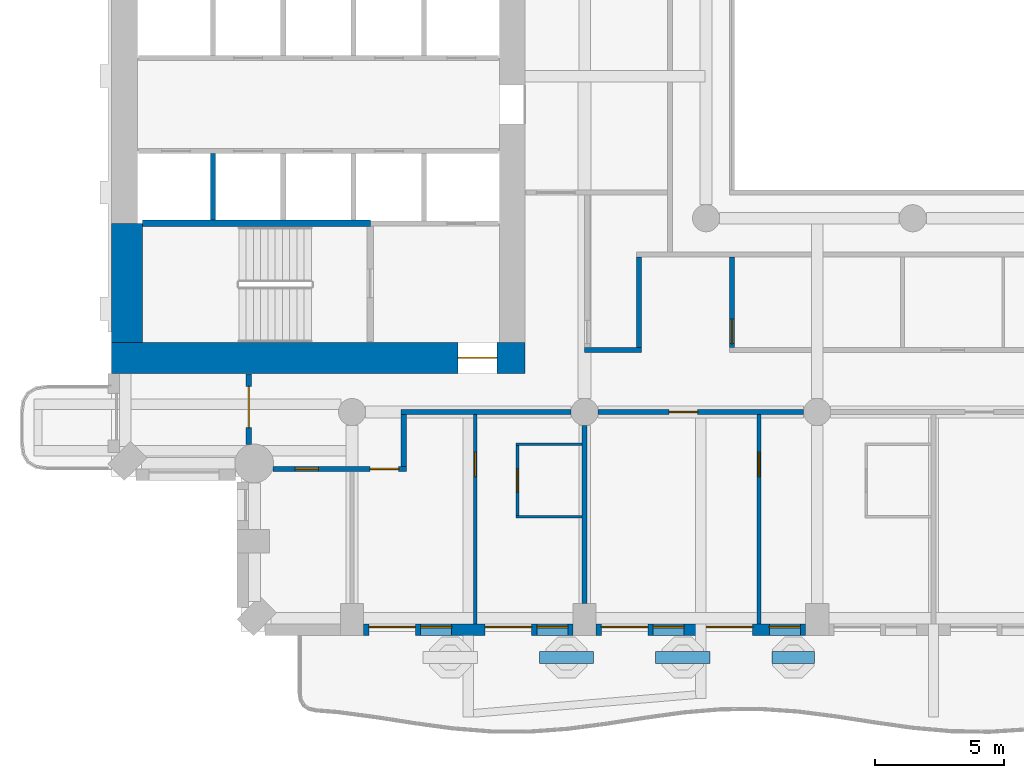
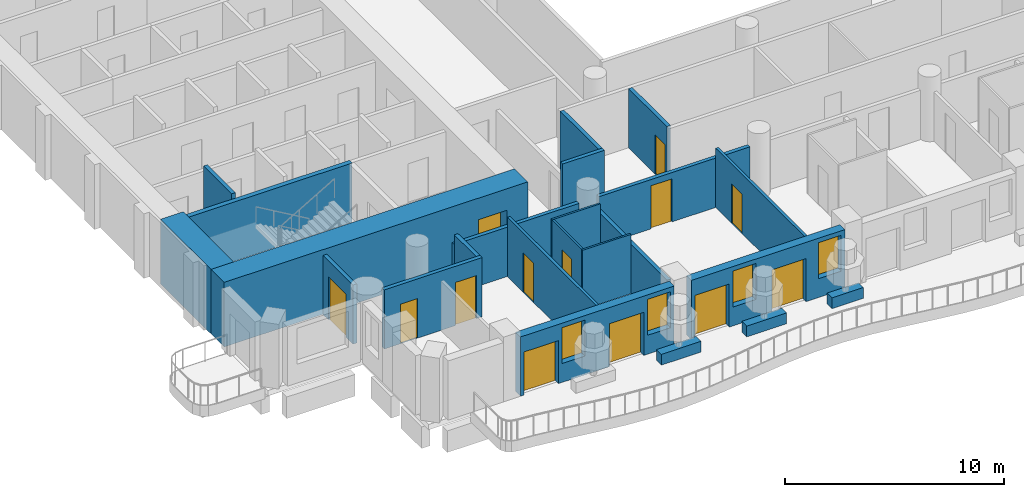
# One storey, part 3 of 20: 23 walls, 13 doors, 4 windows, 17 openings.
"""IFC4 building model written with IfcOpenShell, lengths in metres."""

from ifc_helpers import new_model, si_unit, direction, frame, frame_2d, origin, place, context, subcontext, project, spatial, rectangle, extrude, material, layer, layer_set, type_object, element, fill, save


model = new_model("IFC4")

# Units and contexts
model_context = context("Model", 3, precision=1e-05, world=origin(), true_north=direction((0.0, 1.0)))
body_context = subcontext(model_context, "Body", "Model", "MODEL_VIEW")
ifc_project = project(units=[si_unit("LENGTHUNIT", "METRE"), si_unit("AREAUNIT", "SQUARE_METRE"), si_unit("VOLUMEUNIT", "CUBIC_METRE"), si_unit("PLANEANGLEUNIT", "RADIAN"), si_unit("MASSUNIT", "GRAM", prefix="KILO")], contexts=[model_context])

# Site, building, storey
site_placement = place(None, origin())
site = spatial("IfcSite", under=ifc_project, at=site_placement, CompositionType="ELEMENT")
building_placement = place(site_placement, origin())
building = spatial("IfcBuilding", under=site, at=building_placement, Name="Cypress Arch Tower", CompositionType="ELEMENT")
storey_placement = place(building_placement, frame((0.0, 0.0, 131.10009765625)))
storey = spatial("IfcBuildingStorey", under=building, at=storey_placement, Name="L28", CompositionType="ELEMENT", Elevation=131.10009765625)

# Walls
ifc_material_1 = material(Name="Concrete C40/50, waterproofed", Category="concrete")
ifc_layer_1 = layer(ifc_material_1, 0.449951171875)
ifc_layer_set_1 = layer_set([ifc_layer_1], Name="Balcony planter wall PW450")
wall_type_1 = type_object("IfcWallType", Name="Balcony planter wall PW450", PredefinedType="SOLIDWALL", material=ifc_layer_set_1)
for number, where, z_axis, x_axis, name in (
    (1, (-13.449951171875, -27.0, 0.0), (0.0, 0.0, 1.0), (1.0, 0.0, 0.0), "Balcony planter wall L28-A03.2"),
    (2, (-8.949951171875, -27.0, 0.0), (0.0, 0.0, 1.0), (1.0, 0.0, 0.0), "Balcony planter wall L28-A03.3"),
):
    element("IfcWall", number, at=place(storey_placement, frame(where, z_axis=z_axis, x_axis=x_axis)), inside=storey, type_object=wall_type_1, Name=name, PredefinedType="SOLIDWALL", context=body_context, shape_type="SweptSolid", body=[
        extrude(rectangle(XDim=2.099853515625, YDim=0.449951171875, at=frame_2d((1.0498046875, 0.0))), origin(), (0.0, 0.0, 1.0), 0.599853515625),
    ])
wall_1_placement = place(storey_placement, frame((-4.449951171875, -27.0, 0.0), z_axis=(0.0, 0.0, 1.0), x_axis=(1.0, 0.0, 0.0)))
element("IfcWall", 3, at=wall_1_placement, inside=storey, type_object=wall_type_1, Name="Balcony planter wall L28-A03.4", PredefinedType="SOLIDWALL", context=body_context, shape_type="SweptSolid", body=[
    extrude(rectangle(XDim=1.64990234375, YDim=0.449951171875, at=frame_2d((0.824951171875, 0.0))), origin(), (0.0, 0.0, 1.0), 0.599853515625),
])

# Wall, openings, doors, windows
ifc_material_2 = material(Name="Brick (red buff blend)", Category="masonry")
ifc_layer_2 = layer(ifc_material_2, 0.449951171875)
ifc_layer_set_2 = layer_set([ifc_layer_2], Name="Brick pier and spandrel wall BW450")
wall_type_2 = type_object("IfcWallType", Name="Brick pier and spandrel wall BW450", PredefinedType="SOLIDWALL", material=ifc_layer_set_2)
wall_2_placement = place(storey_placement, frame((-20.25, -25.925048828125, 0.0), z_axis=(0.0, 0.0, 1.0), x_axis=(1.0, 0.0, 0.0)))
wall_2 = element("IfcWall", 4, at=wall_2_placement, inside=storey, type_object=wall_type_2, Name="Brick wall L28 A03.1", PredefinedType="SOLIDWALL", context=body_context, shape_type="SweptSolid", body=[
    extrude(rectangle(XDim=8.10009765625, YDim=0.449951171875, at=frame_2d((4.050048828125, 0.0))), origin(), (0.0, 0.0, 1.0), 3.2998046875),
])
opening_1_placement = place(wall_2_placement, frame((0.199951171875, 0.0, 0.0)))
opening_1 = element("IfcOpeningElement", 5, at=opening_1_placement, cuts=wall_2, Name="Opening D-L28-A03.1.1", PredefinedType="OPENING", context=body_context, shape_type="SweptSolid", body=[
    extrude(rectangle(XDim=1.800048828125, YDim=2.39990234375, at=frame_2d((0.89990234375, 1.199951171875))), frame((0.0, 0.23486328125, 0.0), z_axis=(0.0, -1.0, 0.0), x_axis=(1.0, 0.0, 0.0)), (0.0, 0.0, 1.0), 0.469970703125),
])
opening_2_placement = place(wall_2_placement, frame((2.199951171875, 0.0, 1.050048828125)))
opening_2 = element("IfcOpeningElement", 6, at=opening_2_placement, cuts=wall_2, Name="Opening W120HD", PredefinedType="OPENING", context=body_context, shape_type="SweptSolid", body=[
    extrude(rectangle(XDim=1.199951171875, YDim=2.0, at=frame_2d((0.60009765625, 1.0))), frame((0.0, 0.23486328125, 0.0), z_axis=(0.0, -1.0, 0.0), x_axis=(1.0, 0.0, 0.0)), (0.0, 0.0, 1.0), 0.469970703125),
])
opening_3_placement = place(wall_2_placement, frame((4.699951171875, 0.0, 0.0)))
opening_3 = element("IfcOpeningElement", 7, at=opening_3_placement, cuts=wall_2, Name="Opening D-L28-A03.1.2", PredefinedType="OPENING", context=body_context, shape_type="SweptSolid", body=[
    extrude(rectangle(XDim=1.800048828125, YDim=2.39990234375, at=frame_2d((0.89990234375, 1.199951171875))), frame((0.0, 0.23486328125, 0.0), z_axis=(0.0, -1.0, 0.0), x_axis=(1.0, 0.0, 0.0)), (0.0, 0.0, 1.0), 0.469970703125),
])
opening_4_placement = place(wall_2_placement, frame((6.699951171875, 0.0, 1.050048828125)))
opening_4 = element("IfcOpeningElement", 8, at=opening_4_placement, cuts=wall_2, Name="Opening W120HD", PredefinedType="OPENING", context=body_context, shape_type="SweptSolid", body=[
    extrude(rectangle(XDim=1.199951171875, YDim=2.0, at=frame_2d((0.60009765625, 1.0))), frame((0.0, 0.23486328125, 0.0), z_axis=(0.0, -1.0, 0.0), x_axis=(1.0, 0.0, 0.0)), (0.0, 0.0, 1.0), 0.469970703125),
])
ifc_material_3 = material(Name="Anodised aluminium, bronze finish, laminated low-emissivity double glazing, large-missile impact rated", Category="aluminium")
door_type_1 = type_object("IfcDoorType", Name="Balcony sliding door 1800x2400", OperationType="SLIDING_TO_LEFT", PredefinedType="DOOR", material=ifc_material_3)
door_1_placement = place(opening_1_placement, origin())
door_1 = element("IfcDoor", 9, at=door_1_placement, inside=storey, type_object=door_type_1, Name="Balcony door L28 A03.1.1", OperationType="SLIDING_TO_LEFT", OverallHeight=2.39990234375, OverallWidth=1.800048828125, PredefinedType="DOOR", context=body_context, shape_type="SweptSolid", body=[
    extrude(rectangle(XDim=1.800048828125, YDim=2.39990234375, at=frame_2d((0.89990234375, 1.199951171875))), frame((0.0, 0.1298828125, 0.0), z_axis=(0.0, -1.0, 0.0), x_axis=(1.0, 0.0, 0.0)), (0.0, 0.0, 1.0), 0.050048828125),
])
fill(opening_1, door_1)
door_2_placement = place(opening_3_placement, origin())
door_2 = element("IfcDoor", 10, at=door_2_placement, inside=storey, type_object=door_type_1, Name="Balcony door L28 A03.1.2", OperationType="SLIDING_TO_LEFT", OverallHeight=2.39990234375, OverallWidth=1.800048828125, PredefinedType="DOOR", context=body_context, shape_type="SweptSolid", body=[
    extrude(rectangle(XDim=1.800048828125, YDim=2.39990234375, at=frame_2d((0.89990234375, 1.199951171875))), frame((0.0, 0.1298828125, 0.0), z_axis=(0.0, -1.0, 0.0), x_axis=(1.0, 0.0, 0.0)), (0.0, 0.0, 1.0), 0.050048828125),
])
fill(opening_3, door_2)
ifc_material_4 = material(Name="Anodised aluminium, bronze finish, laminated low-emissivity double glazing, large-missile impact rated", Category="aluminium")
window_type = type_object("IfcWindowType", Name="Window Hotel 1200x2000 debris-rated", PartitioningType="SINGLE_PANEL", PredefinedType="WINDOW", material=ifc_material_4)
window_1_placement = place(opening_2_placement, origin())
window_1 = element("IfcWindow", 11, at=window_1_placement, inside=storey, type_object=window_type, Name="Window L28 A03.1.1", OverallHeight=2.0, OverallWidth=1.199951171875, PartitioningType="SINGLE_PANEL", PredefinedType="WINDOW", context=body_context, shape_type="SweptSolid", body=[
    extrude(rectangle(XDim=1.199951171875, YDim=2.0, at=frame_2d((0.60009765625, 1.0))), frame((0.0, 0.135009765625, 0.0), z_axis=(0.0, -1.0, 0.0), x_axis=(1.0, 0.0, 0.0)), (0.0, 0.0, 1.0), 0.06005859375),
])
fill(opening_2, window_1)
window_2_placement = place(opening_4_placement, origin())
window_2 = element("IfcWindow", 12, at=window_2_placement, inside=storey, type_object=window_type, Name="Window L28 A03.1.2", OverallHeight=2.0, OverallWidth=1.199951171875, PartitioningType="SINGLE_PANEL", PredefinedType="WINDOW", context=body_context, shape_type="SweptSolid", body=[
    extrude(rectangle(XDim=1.199951171875, YDim=2.0, at=frame_2d((0.60009765625, 1.0))), frame((0.0, 0.135009765625, 0.0), z_axis=(0.0, -1.0, 0.0), x_axis=(1.0, 0.0, 0.0)), (0.0, 0.0, 1.0), 0.06005859375),
])
fill(opening_4, window_2)

wall_3_placement = place(storey_placement, frame((-11.25, -25.925048828125, 0.0), z_axis=(0.0, 0.0, 1.0), x_axis=(1.0, 0.0, 0.0)))
wall_3 = element("IfcWall", 13, at=wall_3_placement, inside=storey, type_object=wall_type_2, Name="Brick wall L28 A03.2", PredefinedType="SOLIDWALL", context=body_context, shape_type="SweptSolid", body=[
    extrude(rectangle(XDim=8.10009765625, YDim=0.449951171875, at=frame_2d((4.050048828125, 0.0))), origin(), (0.0, 0.0, 1.0), 3.2998046875),
])
opening_5_placement = place(wall_3_placement, frame((0.199951171875, 0.0, 0.0)))
opening_5 = element("IfcOpeningElement", 14, at=opening_5_placement, cuts=wall_3, Name="Opening D-L28-A03.2.1", PredefinedType="OPENING", context=body_context, shape_type="SweptSolid", body=[
    extrude(rectangle(XDim=1.800048828125, YDim=2.39990234375, at=frame_2d((0.89990234375, 1.199951171875))), frame((0.0, 0.23486328125, 0.0), z_axis=(0.0, -1.0, 0.0), x_axis=(1.0, 0.0, 0.0)), (0.0, 0.0, 1.0), 0.469970703125),
])
opening_6_placement = place(wall_3_placement, frame((2.199951171875, 0.0, 1.050048828125)))
opening_6 = element("IfcOpeningElement", 15, at=opening_6_placement, cuts=wall_3, Name="Opening W120HD", PredefinedType="OPENING", context=body_context, shape_type="SweptSolid", body=[
    extrude(rectangle(XDim=1.199951171875, YDim=2.0, at=frame_2d((0.60009765625, 1.0))), frame((0.0, 0.23486328125, 0.0), z_axis=(0.0, -1.0, 0.0), x_axis=(1.0, 0.0, 0.0)), (0.0, 0.0, 1.0), 0.469970703125),
])
opening_7_placement = place(wall_3_placement, frame((4.25, 0.0, 0.0)))
opening_7 = element("IfcOpeningElement", 16, at=opening_7_placement, cuts=wall_3, Name="Opening D-L28-A03.2.2", PredefinedType="OPENING", context=body_context, shape_type="SweptSolid", body=[
    extrude(rectangle(XDim=1.800048828125, YDim=2.39990234375, at=frame_2d((0.89990234375, 1.199951171875))), frame((0.0, 0.23486328125, 0.0), z_axis=(0.0, -1.0, 0.0), x_axis=(1.0, 0.0, 0.0)), (0.0, 0.0, 1.0), 0.469970703125),
])
opening_8_placement = place(wall_3_placement, frame((6.699951171875, 0.0, 1.050048828125)))
opening_8 = element("IfcOpeningElement", 17, at=opening_8_placement, cuts=wall_3, Name="Opening W120HD", PredefinedType="OPENING", context=body_context, shape_type="SweptSolid", body=[
    extrude(rectangle(XDim=1.199951171875, YDim=2.0, at=frame_2d((0.60009765625, 1.0))), frame((0.0, 0.23486328125, 0.0), z_axis=(0.0, -1.0, 0.0), x_axis=(1.0, 0.0, 0.0)), (0.0, 0.0, 1.0), 0.469970703125),
])
door_3_placement = place(opening_5_placement, origin())
door_3 = element("IfcDoor", 18, at=door_3_placement, inside=storey, type_object=door_type_1, Name="Balcony door L28 A03.2.1", OperationType="SLIDING_TO_LEFT", OverallHeight=2.39990234375, OverallWidth=1.800048828125, PredefinedType="DOOR", context=body_context, shape_type="SweptSolid", body=[
    extrude(rectangle(XDim=1.800048828125, YDim=2.39990234375, at=frame_2d((0.89990234375, 1.199951171875))), frame((0.0, 0.1298828125, 0.0), z_axis=(0.0, -1.0, 0.0), x_axis=(1.0, 0.0, 0.0)), (0.0, 0.0, 1.0), 0.050048828125),
])
fill(opening_5, door_3)
door_4_placement = place(opening_7_placement, origin())
door_4 = element("IfcDoor", 19, at=door_4_placement, inside=storey, type_object=door_type_1, Name="Balcony door L28 A03.2.2", OperationType="SLIDING_TO_LEFT", OverallHeight=2.39990234375, OverallWidth=1.800048828125, PredefinedType="DOOR", context=body_context, shape_type="SweptSolid", body=[
    extrude(rectangle(XDim=1.800048828125, YDim=2.39990234375, at=frame_2d((0.89990234375, 1.199951171875))), frame((0.0, 0.1298828125, 0.0), z_axis=(0.0, -1.0, 0.0), x_axis=(1.0, 0.0, 0.0)), (0.0, 0.0, 1.0), 0.050048828125),
])
fill(opening_7, door_4)
window_3_placement = place(opening_6_placement, origin())
window_3 = element("IfcWindow", 20, at=window_3_placement, inside=storey, type_object=window_type, Name="Window L28 A03.2.1", OverallHeight=2.0, OverallWidth=1.199951171875, PartitioningType="SINGLE_PANEL", PredefinedType="WINDOW", context=body_context, shape_type="SweptSolid", body=[
    extrude(rectangle(XDim=1.199951171875, YDim=2.0, at=frame_2d((0.60009765625, 1.0))), frame((0.0, 0.135009765625, 0.0), z_axis=(0.0, -1.0, 0.0), x_axis=(1.0, 0.0, 0.0)), (0.0, 0.0, 1.0), 0.06005859375),
])
fill(opening_6, window_3)
window_4_placement = place(opening_8_placement, origin())
window_4 = element("IfcWindow", 21, at=window_4_placement, inside=storey, type_object=window_type, Name="Window L28 A03.2.2", OverallHeight=2.0, OverallWidth=1.199951171875, PartitioningType="SINGLE_PANEL", PredefinedType="WINDOW", context=body_context, shape_type="SweptSolid", body=[
    extrude(rectangle(XDim=1.199951171875, YDim=2.0, at=frame_2d((0.60009765625, 1.0))), frame((0.0, 0.135009765625, 0.0), z_axis=(0.0, -1.0, 0.0), x_axis=(1.0, 0.0, 0.0)), (0.0, 0.0, 1.0), 0.06005859375),
])
fill(opening_8, window_4)

# Wall, opening, door
ifc_material_5 = material(Name="Concrete C80/95", Category="concrete")
ifc_layer_3 = layer(ifc_material_5, 1.199951171875)
ifc_layer_set_3 = layer_set([ifc_layer_3], Name="Core wall CW1200 C80/95")
wall_type_3 = type_object("IfcWallType", Name="Core wall CW1200 C80/95", PredefinedType="SHEAR", material=ifc_layer_set_3)
wall_4_placement = place(storey_placement, frame((-30.0, -15.39990234375, 0.0), z_axis=(0.0, 0.0, 1.0), x_axis=(1.0, 0.0, 0.0)))
wall_4 = element("IfcWall", 22, at=wall_4_placement, inside=storey, type_object=wall_type_3, Name="Core wall", PredefinedType="SHEAR", context=body_context, shape_type="SweptSolid", body=[
    extrude(rectangle(XDim=16.0, YDim=1.199951171875, at=frame_2d((8.0, 0.0))), origin(), (0.0, 0.0, 1.0), 3.599853515625),
])
opening_9_placement = place(wall_4_placement, frame((13.39990234375, 0.0, 0.0)))
opening_9 = element("IfcOpeningElement", 23, at=opening_9_placement, cuts=wall_4, Name="Opening D07", PredefinedType="OPENING", context=body_context, shape_type="SweptSolid", body=[
    extrude(rectangle(XDim=1.5, YDim=2.39990234375, at=frame_2d((0.75, 1.199951171875))), frame((0.0, 0.60986328125, 0.0), z_axis=(0.0, -1.0, 0.0), x_axis=(1.0, 0.0, 0.0)), (0.0, 0.0, 1.0), 1.219970703125),
])
ifc_material_6 = material(Name="Steel framed glazed door, fire resisting", Category="steel")
door_type_2 = type_object("IfcDoorType", Name="Lobby door D07 1500x2400", OperationType="DOUBLE_DOOR_SINGLE_SWING", PredefinedType="DOOR", material=ifc_material_6)
door_5_placement = place(opening_9_placement, origin())
door_5 = element("IfcDoor", 24, at=door_5_placement, inside=storey, type_object=door_type_2, Name="Lobby door", OperationType="DOUBLE_DOOR_SINGLE_SWING", OverallHeight=2.39990234375, OverallWidth=1.5, PredefinedType="DOOR", context=body_context, shape_type="SweptSolid", body=[
    extrude(rectangle(XDim=1.5, YDim=2.39990234375, at=frame_2d((0.75, 1.199951171875))), frame((0.0, 0.02490234375, 0.0), z_axis=(0.0, -1.0, 0.0), x_axis=(1.0, 0.0, 0.0)), (0.0, 0.0, 1.0), 0.050048828125),
])
fill(opening_9, door_5)

# Wall
wall_5_placement = place(storey_placement, frame((-29.39990234375, -14.800048828125, 0.0), z_axis=(0.0, 0.0, 1.0), x_axis=(0.0, 1.0, 0.0)))
element("IfcWall", 25, at=wall_5_placement, inside=storey, type_object=wall_type_3, Name="Core wall", PredefinedType="SHEAR", context=body_context, shape_type="SweptSolid", body=[
    extrude(rectangle(XDim=4.60009765625, YDim=1.199951171875, at=frame_2d((2.300048828125, 0.0))), origin(), (0.0, 0.0, 1.0), 3.599853515625),
])

# Wall, opening, door
ifc_material_7 = material(Name="Concrete blockwork, plastered, rated", Category="masonry")
ifc_layer_4 = layer(ifc_material_7, 0.199951171875)
ifc_layer_set_4 = layer_set([ifc_layer_4], Name="Corridor wall FW200")
wall_type_4 = type_object("IfcWallType", Name="Corridor wall FW200", PredefinedType="PARTITIONING", material=ifc_layer_set_4)
wall_6_placement = place(storey_placement, frame((-24.699951171875, -18.752197265625, 0.0), z_axis=(0.0, 0.0, 1.0), x_axis=(0.0, 1.0, 0.0)))
wall_6 = element("IfcWall", 26, at=wall_6_placement, inside=storey, type_object=wall_type_4, Name="Corridor wall", PredefinedType="PARTITIONING", context=body_context, shape_type="SweptSolid", body=[
    extrude(rectangle(XDim=2.72216796875, YDim=0.199951171875, at=frame_2d((1.361083984375, 0.0))), origin(), (0.0, 0.0, 1.0), 3.2998046875),
])
opening_10_placement = place(wall_6_placement, frame((0.64990234375, 0.0, 0.0)))
opening_10 = element("IfcOpeningElement", 27, at=opening_10_placement, cuts=wall_6, Name="Opening D10", PredefinedType="OPENING", context=body_context, shape_type="SweptSolid", body=[
    extrude(rectangle(XDim=1.60009765625, YDim=2.39990234375, at=frame_2d((0.800048828125, 1.199951171875))), frame((0.0, 0.10986328125, 0.0), z_axis=(0.0, -1.0, 0.0), x_axis=(1.0, 0.0, 0.0)), (0.0, 0.0, 1.0), 0.219970703125),
])
ifc_material_8 = material(Name="Black aluminium glazed door", Category="aluminium")
door_type_3 = type_object("IfcDoorType", Name="Amenity door D10 1600x2400", OperationType="DOUBLE_DOOR_SINGLE_SWING", PredefinedType="DOOR", material=ifc_material_8)
door_6_placement = place(opening_10_placement, origin())
door_6 = element("IfcDoor", 28, at=door_6_placement, inside=storey, type_object=door_type_3, Name="Amenity door", OperationType="DOUBLE_DOOR_SINGLE_SWING", OverallHeight=2.39990234375, OverallWidth=1.60009765625, PredefinedType="DOOR", context=body_context, shape_type="SweptSolid", body=[
    extrude(rectangle(XDim=1.60009765625, YDim=2.39990234375, at=frame_2d((0.800048828125, 1.199951171875))), frame((0.0, 0.02490234375, 0.0), z_axis=(0.0, -1.0, 0.0), x_axis=(1.0, 0.0, 0.0)), (0.0, 0.0, 1.0), 0.050048828125),
])
fill(opening_10, door_6)

# Wall, openings, doors
wall_7_placement = place(storey_placement, frame((-23.752197265625, -19.699951171875, 0.0), z_axis=(0.0, 0.0, 1.0), x_axis=(1.0, 0.0, 0.0)))
wall_7 = element("IfcWall", 29, at=wall_7_placement, inside=storey, type_object=wall_type_4, Name="Corridor wall", PredefinedType="PARTITIONING", context=body_context, shape_type="SweptSolid", body=[
    extrude(rectangle(XDim=5.152099609375, YDim=0.199951171875, at=frame_2d((2.576171875, 0.0))), origin(), (0.0, 0.0, 1.0), 3.2998046875),
])
opening_11_placement = place(wall_7_placement, frame((0.85009765625, 0.0, 0.0)))
opening_11 = element("IfcOpeningElement", 30, at=opening_11_placement, cuts=wall_7, Name="Opening D05", PredefinedType="OPENING", context=body_context, shape_type="SweptSolid", body=[
    extrude(rectangle(XDim=0.89990234375, YDim=2.199951171875, at=frame_2d((0.449951171875, 1.10009765625))), frame((0.0, 0.10986328125, 0.0), z_axis=(0.0, -1.0, 0.0), x_axis=(1.0, 0.0, 0.0)), (0.0, 0.0, 1.0), 0.219970703125),
])
opening_12_placement = place(wall_7_placement, frame((3.75, 0.0, 0.0)))
opening_12 = element("IfcOpeningElement", 31, at=opening_12_placement, cuts=wall_7, Name="Opening D01", PredefinedType="OPENING", context=body_context, shape_type="SweptSolid", body=[
    extrude(rectangle(XDim=1.10009765625, YDim=2.39990234375, at=frame_2d((0.550048828125, 1.199951171875))), frame((0.0, 0.10986328125, 0.0), z_axis=(0.0, -1.0, 0.0), x_axis=(1.0, 0.0, 0.0)), (0.0, 0.0, 1.0), 0.219970703125),
])
ifc_material_9 = material(Name="Timber flush door", Category="wood")
door_type_4 = type_object("IfcDoorType", Name="Service door D05 900x2200", OperationType="SINGLE_SWING_LEFT", PredefinedType="DOOR", material=ifc_material_9)
door_7_placement = place(opening_11_placement, origin())
door_7 = element("IfcDoor", 32, at=door_7_placement, inside=storey, type_object=door_type_4, Name="Service door", OperationType="SINGLE_SWING_RIGHT", OverallHeight=2.199951171875, OverallWidth=0.89990234375, PredefinedType="DOOR", context=body_context, shape_type="SweptSolid", body=[
    extrude(rectangle(XDim=0.89990234375, YDim=2.199951171875, at=frame_2d((0.449951171875, 1.10009765625))), frame((0.0, 0.02490234375, 0.0), z_axis=(0.0, -1.0, 0.0), x_axis=(1.0, 0.0, 0.0)), (0.0, 0.0, 1.0), 0.050048828125),
])
fill(opening_11, door_7)
ifc_material_10 = material(Name="Timber flush door, fire resisting, self-closing", Category="wood")
door_type_5 = type_object("IfcDoorType", Name="Unit entrance door D01 1100x2400", OperationType="SINGLE_SWING_LEFT", PredefinedType="DOOR", material=ifc_material_10)
door_8_placement = place(opening_12_placement, origin())
door_8 = element("IfcDoor", 33, at=door_8_placement, inside=storey, type_object=door_type_5, Name="Unit entrance door", OperationType="SINGLE_SWING_RIGHT", OverallHeight=2.39990234375, OverallWidth=1.10009765625, PredefinedType="DOOR", context=body_context, shape_type="SweptSolid", body=[
    extrude(rectangle(XDim=1.10009765625, YDim=2.39990234375, at=frame_2d((0.550048828125, 1.199951171875))), frame((0.0, 0.02490234375, 0.0), z_axis=(0.0, -1.0, 0.0), x_axis=(1.0, 0.0, 0.0)), (0.0, 0.0, 1.0), 0.050048828125),
])
fill(opening_12, door_8)

# Walls
wall_8_placement = place(storey_placement, frame((-18.699951171875, -19.60009765625, 0.0), z_axis=(0.0, 0.0, 1.0), x_axis=(0.0, 1.0, 0.0)))
element("IfcWall", 34, at=wall_8_placement, inside=storey, type_object=wall_type_4, Name="Corridor wall", PredefinedType="PARTITIONING", context=body_context, shape_type="SweptSolid", body=[
    extrude(rectangle(XDim=2.0, YDim=0.199951171875, at=frame_2d((1.0, 0.0))), origin(), (0.0, 0.0, 1.0), 3.2998046875),
])
wall_9_placement = place(storey_placement, frame((-18.800048828125, -17.5, 0.0), z_axis=(0.0, 0.0, 1.0), x_axis=(1.0, 0.0, 0.0)))
element("IfcWall", 35, at=wall_9_placement, inside=storey, type_object=wall_type_4, Name="Corridor wall", PredefinedType="PARTITIONING", context=body_context, shape_type="SweptSolid", body=[
    extrude(rectangle(XDim=6.574951171875, YDim=0.199951171875, at=frame_2d((3.28759765625, 0.0))), origin(), (0.0, 0.0, 1.0), 2.75),
])

# Wall, opening, door
wall_10_placement = place(storey_placement, frame((-11.175048828125, -17.5, 0.0), z_axis=(0.0, 0.0, 1.0), x_axis=(1.0, 0.0, 0.0)))
wall_10 = element("IfcWall", 36, at=wall_10_placement, inside=storey, type_object=wall_type_4, Name="Corridor wall", PredefinedType="PARTITIONING", context=body_context, shape_type="SweptSolid", body=[
    extrude(rectangle(XDim=7.949951171875, YDim=0.199951171875, at=frame_2d((3.97509765625, 0.0))), origin(), (0.0, 0.0, 1.0), 2.75),
])
opening_13_placement = place(wall_10_placement, frame((2.75, 0.0, 0.0)))
opening_13 = element("IfcOpeningElement", 37, at=opening_13_placement, cuts=wall_10, Name="Opening D01", PredefinedType="OPENING", context=body_context, shape_type="SweptSolid", body=[
    extrude(rectangle(XDim=1.10009765625, YDim=2.39990234375, at=frame_2d((0.550048828125, 1.199951171875))), frame((0.0, 0.10986328125, 0.0), z_axis=(0.0, -1.0, 0.0), x_axis=(1.0, 0.0, 0.0)), (0.0, 0.0, 1.0), 0.219970703125),
])
door_9_placement = place(opening_13_placement, origin())
door_9 = element("IfcDoor", 38, at=door_9_placement, inside=storey, type_object=door_type_5, Name="Unit entrance door", OperationType="SINGLE_SWING_LEFT", OverallHeight=2.39990234375, OverallWidth=1.10009765625, PredefinedType="DOOR", context=body_context, shape_type="SweptSolid", body=[
    extrude(rectangle(XDim=1.10009765625, YDim=2.39990234375, at=frame_2d((0.550048828125, 1.199951171875))), frame((0.0, 0.02490234375, 0.0), z_axis=(0.0, -1.0, 0.0), x_axis=(1.0, 0.0, 0.0)), (0.0, 0.0, 1.0), 0.050048828125),
])
fill(opening_13, door_9)

# Walls
wall_11_placement = place(storey_placement, frame((-11.699951171875, -15.10009765625, 0.0), z_axis=(0.0, 0.0, 1.0), x_axis=(1.0, 0.0, 0.0)))
element("IfcWall", 39, at=wall_11_placement, inside=storey, type_object=wall_type_4, Name="Corridor wall", PredefinedType="PARTITIONING", context=body_context, shape_type="SweptSolid", body=[
    extrude(rectangle(XDim=2.199951171875, YDim=0.199951171875, at=frame_2d((1.10009765625, 0.0))), origin(), (0.0, 0.0, 1.0), 3.2998046875),
])
wall_12_placement = place(storey_placement, frame((-9.60009765625, -15.0, 0.0), z_axis=(0.0, 0.0, 1.0), x_axis=(0.0, 1.0, 0.0)))
element("IfcWall", 40, at=wall_12_placement, inside=storey, type_object=wall_type_4, Name="Corridor wall", PredefinedType="PARTITIONING", context=body_context, shape_type="SweptSolid", body=[
    extrude(rectangle(XDim=3.5009765625, YDim=0.199951171875, at=frame_2d((1.75048828125, 0.0))), origin(), (0.0, 0.0, 1.0), 3.2998046875),
])

# Wall, opening, door
wall_13_placement = place(storey_placement, frame((-6.0, -15.0, 0.0), z_axis=(0.0, 0.0, 1.0), x_axis=(0.0, 1.0, 0.0)))
wall_13 = element("IfcWall", 41, at=wall_13_placement, inside=storey, type_object=wall_type_4, Name="Corridor wall", PredefinedType="PARTITIONING", context=body_context, shape_type="SweptSolid", body=[
    extrude(rectangle(XDim=3.5, YDim=0.199951171875, at=frame_2d((1.75, 0.0))), origin(), (0.0, 0.0, 1.0), 3.2998046875),
])
opening_14_placement = place(wall_13_placement, frame((0.14990234375, 0.0, 0.0)))
opening_14 = element("IfcOpeningElement", 42, at=opening_14_placement, cuts=wall_13, Name="Opening D02", PredefinedType="OPENING", context=body_context, shape_type="SweptSolid", body=[
    extrude(rectangle(XDim=0.949951171875, YDim=2.199951171875, at=frame_2d((0.47509765625, 1.10009765625))), frame((0.0, 0.10986328125, 0.0), z_axis=(0.0, -1.0, 0.0), x_axis=(1.0, 0.0, 0.0)), (0.0, 0.0, 1.0), 0.219970703125),
])
ifc_material_11 = material(Name="Timber flush door, fire resisting", Category="wood")
door_type_6 = type_object("IfcDoorType", Name="Room door D02 950x2200", OperationType="SINGLE_SWING_LEFT", PredefinedType="DOOR", material=ifc_material_11)
door_10_placement = place(opening_14_placement, origin())
door_10 = element("IfcDoor", 43, at=door_10_placement, inside=storey, type_object=door_type_6, Name="Room door", OperationType="SINGLE_SWING_RIGHT", OverallHeight=2.199951171875, OverallWidth=0.949951171875, PredefinedType="DOOR", context=body_context, shape_type="SweptSolid", body=[
    extrude(rectangle(XDim=0.949951171875, YDim=2.199951171875, at=frame_2d((0.47509765625, 1.10009765625))), frame((0.0, 0.02490234375, 0.0), z_axis=(0.0, -1.0, 0.0), x_axis=(1.0, 0.0, 0.0)), (0.0, 0.0, 1.0), 0.050048828125),
])
fill(opening_14, door_10)

ifc_material_12 = material(Name="Blockwork, plastered both sides", Category="masonry")
ifc_layer_5 = layer(ifc_material_12, 0.14990234375)
ifc_layer_set_5 = layer_set([ifc_layer_5], Name="Partition PW150")
wall_type_5 = type_object("IfcWallType", Name="Partition PW150", PredefinedType="PARTITIONING", material=ifc_layer_set_5)
wall_14_placement = place(storey_placement, frame((-15.930908203125, -25.699951171875, 0.0), z_axis=(0.0, 0.0, 1.0), x_axis=(0.0, 1.0, 0.0)))
wall_14 = element("IfcWall", 44, at=wall_14_placement, inside=storey, type_object=wall_type_5, Name="Partition", PredefinedType="PARTITIONING", context=body_context, shape_type="SweptSolid", body=[
    extrude(rectangle(XDim=8.099853515625, YDim=0.14990234375, at=frame_2d((4.0498046875, 0.0))), origin(), (0.0, 0.0, 1.0), 3.2998046875),
])
opening_15_placement = place(wall_14_placement, frame((5.699951171875, 0.0, 0.0)))
opening_15 = element("IfcOpeningElement", 45, at=opening_15_placement, cuts=wall_14, Name="Opening D12", PredefinedType="OPENING", context=body_context, shape_type="SweptSolid", body=[
    extrude(rectangle(XDim=0.949951171875, YDim=2.199951171875, at=frame_2d((0.47509765625, 1.10009765625))), frame((0.0, 0.0849609375, 0.0), z_axis=(0.0, -1.0, 0.0), x_axis=(1.0, 0.0, 0.0)), (0.0, 0.0, 1.0), 0.169921875),
])
ifc_material_13 = material(Name="Timber flush door", Category="wood")
door_type_7 = type_object("IfcDoorType", Name="Room door D12 950x2200", OperationType="SINGLE_SWING_LEFT", PredefinedType="DOOR", material=ifc_material_13)
door_11_placement = place(opening_15_placement, origin())
door_11 = element("IfcDoor", 46, at=door_11_placement, inside=storey, type_object=door_type_7, Name="Room door", OperationType="SINGLE_SWING_RIGHT", OverallHeight=2.199951171875, OverallWidth=0.949951171875, PredefinedType="DOOR", context=body_context, shape_type="SweptSolid", body=[
    extrude(rectangle(XDim=0.949951171875, YDim=2.199951171875, at=frame_2d((0.47509765625, 1.10009765625))), frame((0.0, 0.02490234375, 0.0), z_axis=(0.0, -1.0, 0.0), x_axis=(1.0, 0.0, 0.0)), (0.0, 0.0, 1.0), 0.050048828125),
])
fill(opening_15, door_11)

wall_15_placement = place(storey_placement, frame((-4.949951171875, -25.699951171875, 0.0), z_axis=(0.0, 0.0, 1.0), x_axis=(0.0, 1.0, 0.0)))
wall_15 = element("IfcWall", 47, at=wall_15_placement, inside=storey, type_object=wall_type_5, Name="Partition", PredefinedType="PARTITIONING", context=body_context, shape_type="SweptSolid", body=[
    extrude(rectangle(XDim=8.099853515625, YDim=0.14990234375, at=frame_2d((4.0498046875, 0.0))), origin(), (0.0, 0.0, 1.0), 3.2998046875),
])
opening_16_placement = place(wall_15_placement, frame((5.699951171875, 0.0, 0.0)))
opening_16 = element("IfcOpeningElement", 48, at=opening_16_placement, cuts=wall_15, Name="Opening D12", PredefinedType="OPENING", context=body_context, shape_type="SweptSolid", body=[
    extrude(rectangle(XDim=0.949951171875, YDim=2.199951171875, at=frame_2d((0.47509765625, 1.10009765625))), frame((0.0, 0.0849609375, 0.0), z_axis=(0.0, -1.0, 0.0), x_axis=(1.0, 0.0, 0.0)), (0.0, 0.0, 1.0), 0.169921875),
])
door_12_placement = place(opening_16_placement, origin())
door_12 = element("IfcDoor", 49, at=door_12_placement, inside=storey, type_object=door_type_7, Name="Room door", OperationType="SINGLE_SWING_RIGHT", OverallHeight=2.199951171875, OverallWidth=0.949951171875, PredefinedType="DOOR", context=body_context, shape_type="SweptSolid", body=[
    extrude(rectangle(XDim=0.949951171875, YDim=2.199951171875, at=frame_2d((0.47509765625, 1.10009765625))), frame((0.0, 0.02490234375, 0.0), z_axis=(0.0, -1.0, 0.0), x_axis=(1.0, 0.0, 0.0)), (0.0, 0.0, 1.0), 0.050048828125),
])
fill(opening_16, door_12)

# Walls
ifc_material_14 = material(Name="Dense blockwork, plastered both sides, acoustic and rated", Category="masonry")
ifc_layer_6 = layer(ifc_material_14, 0.199951171875)
ifc_layer_set_6 = layer_set([ifc_layer_6], Name="Party wall PW200")
wall_type_6 = type_object("IfcWallType", Name="Party wall PW200", PredefinedType="PARTITIONING", material=ifc_layer_set_6)
wall_16_placement = place(storey_placement, frame((-11.699951171875, -24.89990234375, 0.0), z_axis=(0.0, 0.0, 1.0), x_axis=(0.0, 1.0, 0.0)))
element("IfcWall", 50, at=wall_16_placement, inside=storey, type_object=wall_type_6, Name="Party wall", PredefinedType="PARTITIONING", context=body_context, shape_type="SweptSolid", body=[
    extrude(rectangle(XDim=6.875, YDim=0.199951171875, at=frame_2d((3.4375, 0.0))), origin(), (0.0, 0.0, 1.0), 2.75),
])
ifc_material_15 = material(Name="Concrete C50/60", Category="concrete")
ifc_layer_7 = layer(ifc_material_15, 0.199951171875)
ifc_layer_set_7 = layer_set([ifc_layer_7], Name="Shaft wall SH200")
wall_type_7 = type_object("IfcWallType", Name="Shaft wall SH200", PredefinedType="SHEAR", material=ifc_layer_set_7)
wall_17_placement = place(storey_placement, frame((-26.080078125, -10.074951171875, 0.0), z_axis=(0.0, 0.0, 1.0), x_axis=(0.0, 1.0, 0.0)))
element("IfcWall", 51, at=wall_17_placement, inside=storey, type_object=wall_type_7, Name="Shaft wall", PredefinedType="SHEAR", context=body_context, shape_type="SweptSolid", body=[
    extrude(rectangle(XDim=2.574951171875, YDim=0.199951171875, at=frame_2d((1.28759765625, 0.0))), origin(), (0.0, 0.0, 1.0), 3.599853515625),
])
ifc_material_16 = material(Name="Concrete C50/60", Category="concrete")
ifc_layer_8 = layer(ifc_material_16, 0.25)
ifc_layer_set_8 = layer_set([ifc_layer_8], Name="Stair enclosure wall SW250")
wall_type_8 = type_object("IfcWallType", Name="Stair enclosure wall SW250", PredefinedType="SHEAR", material=ifc_layer_set_8)
wall_18_placement = place(storey_placement, frame((-28.81005859375, -10.199951171875, 0.0), z_axis=(0.0, 0.0, 1.0), x_axis=(1.0, 0.0, 0.0)))
element("IfcWall", 52, at=wall_18_placement, inside=storey, type_object=wall_type_8, Name="Stair enclosure wall", PredefinedType="SHEAR", context=body_context, shape_type="SweptSolid", body=[
    extrude(rectangle(XDim=8.830078125, YDim=0.25, at=frame_2d((4.4150390625, 0.0))), origin(), (0.0, 0.0, 1.0), 3.2998046875),
])

# Wall, opening, door
ifc_material_17 = material(Name="Moisture resistant board on steel studs, tiled", Category="steel")
ifc_layer_9 = layer(ifc_material_17, 0.10009765625)
ifc_layer_set_9 = layer_set([ifc_layer_9], Name="Wet wall PW100")
wall_type_9 = type_object("IfcWallType", Name="Wet wall PW100", PredefinedType="PARTITIONING", material=ifc_layer_set_9)
wall_19_placement = place(storey_placement, frame((-14.2958984375, -21.5, 0.0), z_axis=(0.0, 0.0, 1.0), x_axis=(0.0, 1.0, 0.0)))
wall_19 = element("IfcWall", 53, at=wall_19_placement, inside=storey, type_object=wall_type_9, Name="Wet wall", PredefinedType="PARTITIONING", context=body_context, shape_type="SweptSolid", body=[
    extrude(rectangle(XDim=2.699951171875, YDim=0.10009765625, at=frame_2d((1.35009765625, 0.0))), origin(), (0.0, 0.0, 1.0), 3.2998046875),
])
opening_17_placement = place(wall_19_placement, frame((0.89990234375, 0.0, 0.0)))
opening_17 = element("IfcOpeningElement", 54, at=opening_17_placement, cuts=wall_19, Name="Opening D03", PredefinedType="OPENING", context=body_context, shape_type="SweptSolid", body=[
    extrude(rectangle(XDim=0.89990234375, YDim=2.199951171875, at=frame_2d((0.449951171875, 1.10009765625))), frame((0.0, 0.06005859375, 0.0), z_axis=(0.0, -1.0, 0.0), x_axis=(1.0, 0.0, 0.0)), (0.0, 0.0, 1.0), 0.1201171875),
])
ifc_material_18 = material(Name="Timber flush door, moisture resistant", Category="wood")
door_type_8 = type_object("IfcDoorType", Name="Bathroom door D03 900x2200", OperationType="SINGLE_SWING_LEFT", PredefinedType="DOOR", material=ifc_material_18)
door_13_placement = place(opening_17_placement, origin())
door_13 = element("IfcDoor", 55, at=door_13_placement, inside=storey, type_object=door_type_8, Name="Bathroom door", OperationType="SINGLE_SWING_LEFT", OverallHeight=2.199951171875, OverallWidth=0.89990234375, PredefinedType="DOOR", context=body_context, shape_type="SweptSolid", body=[
    extrude(rectangle(XDim=0.89990234375, YDim=2.199951171875, at=frame_2d((0.449951171875, 1.10009765625))), frame((0.0, 0.02490234375, 0.0), z_axis=(0.0, -1.0, 0.0), x_axis=(1.0, 0.0, 0.0)), (0.0, 0.0, 1.0), 0.050048828125),
])
fill(opening_17, door_13)

# Walls
for number, where, z_axis, x_axis, name in (
    (56, (-14.345947265625, -21.550048828125, 0.0), (0.0, 0.0, 1.0), (1.0, 0.0, 0.0), "Wet wall"),
    (57, (-14.345947265625, -18.75, 0.0), (0.0, 0.0, 1.0), (1.0, 0.0, 0.0), "Wet wall"),
):
    element("IfcWall", number, at=place(storey_placement, frame(where, z_axis=z_axis, x_axis=x_axis)), inside=storey, type_object=wall_type_9, Name=name, PredefinedType="PARTITIONING", context=body_context, shape_type="SweptSolid", body=[
        extrude(rectangle(XDim=2.5458984375, YDim=0.10009765625, at=frame_2d((1.27294921875, 0.0))), origin(), (0.0, 0.0, 1.0), 3.2998046875),
    ])

save(model, "model.ifc")
